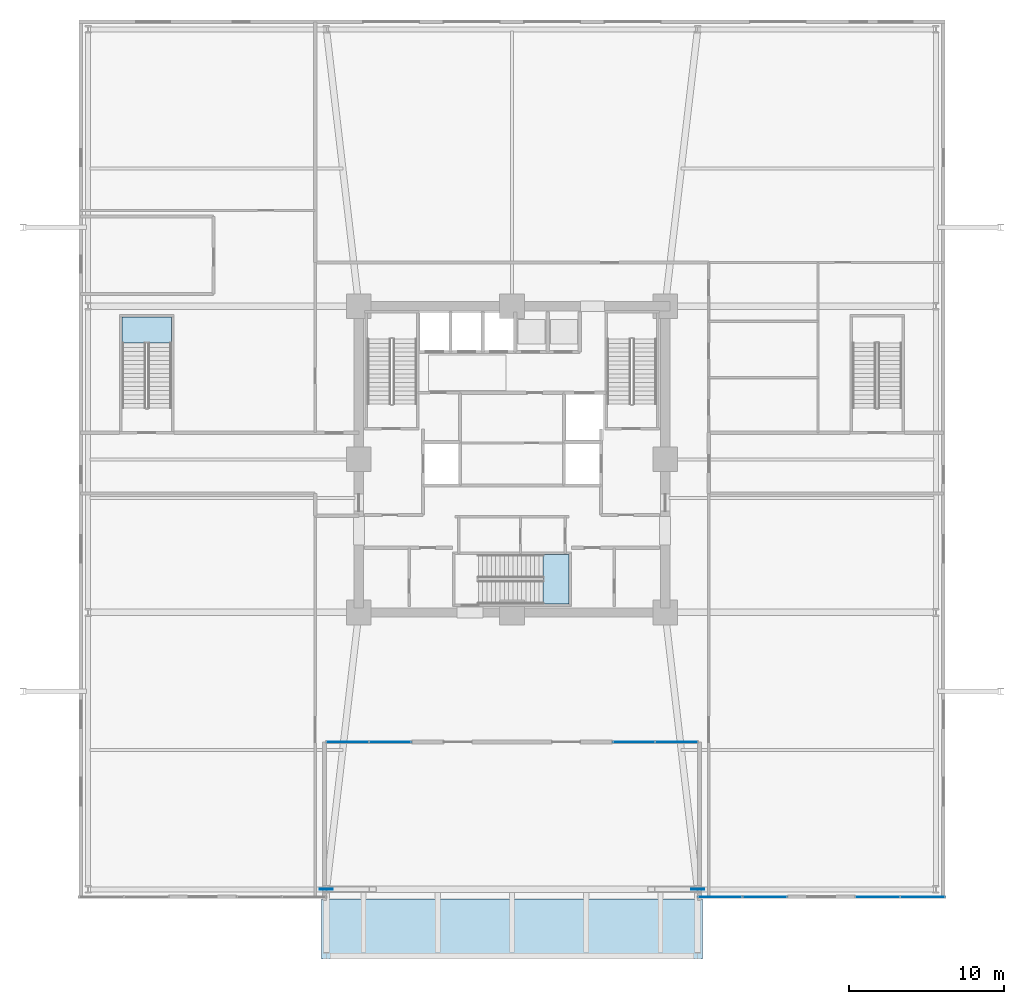
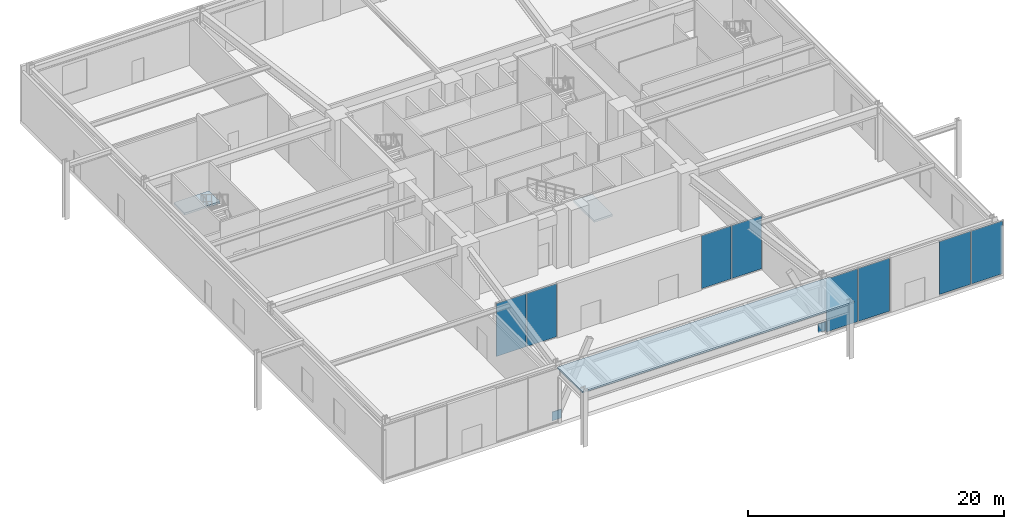
# One storey, part 16 of 24: 10 plates, 3 slabs, 6 elements without a shape of their own.
"""IFC4 building model written with IfcOpenShell, lengths in metres."""

from ifc_helpers import new_model, si_unit, direction, frame, origin, origin_2d, place, context, subcontext, project, spatial, polyline, rectangle, outline, extrude, material, layer, layer_set, type_object, element, aggregate, save


model = new_model("IFC4")

# Units and contexts
model_context = context("Model", 3, precision=1e-05, world=origin(), true_north=direction((0.0, 1.0)))
body_context = subcontext(model_context, "Body", "Model", "MODEL_VIEW")
ifc_project = project(units=[si_unit("LENGTHUNIT", "METRE"), si_unit("AREAUNIT", "SQUARE_METRE"), si_unit("VOLUMEUNIT", "CUBIC_METRE"), si_unit("PLANEANGLEUNIT", "RADIAN"), si_unit("MASSUNIT", "GRAM", prefix="KILO")], contexts=[model_context])

# Site, building, storey
site_placement = place(None, origin())
site = spatial("IfcSite", under=ifc_project, at=site_placement, CompositionType="ELEMENT")
building_placement = place(site_placement, origin())
building = spatial("IfcBuilding", under=site, at=building_placement, Name="Kolvaren Belvedere", CompositionType="ELEMENT")
storey_placement = place(building_placement, origin())
storey = spatial("IfcBuildingStorey", under=building, at=storey_placement, Name="L01", CompositionType="ELEMENT", Elevation=0.0)

# Curtain wall, plates
ifc_material_1 = material(Name="Anodised pale-metal aluminium AA 6063-T6", Category="aluminium")
curtain_wall_type = type_object("IfcCurtainWallType", Name="CW-POD-A", PredefinedType="NOTDEFINED", material=ifc_material_1)
curtain_wall_1_placement = place(storey_placement, origin())
curtain_wall_1 = element("IfcCurtainWall", 1, at=curtain_wall_1_placement, inside=storey, type_object=curtain_wall_type, Name="L01 Unitised Curtain Wall FCW-L01-PORT-E", PredefinedType="NOTDEFINED")
ifc_material_2 = material(Name="Low-iron laminated vision glass", Category="glass")
ifc_layer_1 = layer(ifc_material_2, 0.031982421875)
ifc_layer_set_1 = layer_set([ifc_layer_1], Name="Low-iron laminated vision glass")
plate_type_1 = type_object("IfcPlateType", Name="CW-PNL-VIS32", PredefinedType="CURTAIN_PANEL", material=ifc_layer_set_1)
plate_1_placement = place(storey_placement, frame((10.625, -18.280029296875, 0.080078125), z_axis=(0.0, 0.0, 1.0), x_axis=(-1.0, 0.0, 0.0)))
plate_1 = element("IfcPlate", 2, at=plate_1_placement, type_object=plate_type_1, Name="FCW-L01-PORT-E Vision Glazing Panel 1", PredefinedType="CURTAIN_PANEL", context=body_context, shape_type="SweptSolid", body=[
    extrude(rectangle(XDim=2.669921875, YDim=0.031982421875, at=origin_2d()), origin(), (0.0, 0.0, 1.0), 5.06005859375),
])
plate_2_placement = place(storey_placement, frame((7.875, -18.280029296875, 0.080078125), z_axis=(0.0, 0.0, 1.0), x_axis=(-1.0, 0.0, 0.0)))
plate_2 = element("IfcPlate", 3, at=plate_2_placement, type_object=plate_type_1, Name="FCW-L01-PORT-E Vision Glazing Panel 2", PredefinedType="CURTAIN_PANEL", context=body_context, shape_type="SweptSolid", body=[
    extrude(rectangle(XDim=2.669921875, YDim=0.031982421875, at=origin_2d()), origin(), (0.0, 0.0, 1.0), 5.06005859375),
])
aggregate(curtain_wall_1, [plate_1, plate_2])

curtain_wall_2_placement = place(storey_placement, origin())
curtain_wall_2 = element("IfcCurtainWall", 4, at=curtain_wall_2_placement, inside=storey, type_object=curtain_wall_type, Name="L01 Unitised Curtain Wall FCW-L01-PORT-W", PredefinedType="NOTDEFINED")
plate_3_placement = place(storey_placement, frame((-7.875, -18.280029296875, 0.080078125), z_axis=(0.0, 0.0, 1.0), x_axis=(-1.0, 0.0, 0.0)))
plate_3 = element("IfcPlate", 5, at=plate_3_placement, type_object=plate_type_1, Name="FCW-L01-PORT-W Vision Glazing Panel 1", PredefinedType="CURTAIN_PANEL", context=body_context, shape_type="SweptSolid", body=[
    extrude(rectangle(XDim=2.669921875, YDim=0.031982421875, at=origin_2d()), origin(), (0.0, 0.0, 1.0), 5.06005859375),
])
plate_4_placement = place(storey_placement, frame((-10.625, -18.280029296875, 0.080078125), z_axis=(0.0, 0.0, 1.0), x_axis=(-1.0, 0.0, 0.0)))
plate_4 = element("IfcPlate", 6, at=plate_4_placement, type_object=plate_type_1, Name="FCW-L01-PORT-W Vision Glazing Panel 2", PredefinedType="CURTAIN_PANEL", context=body_context, shape_type="SweptSolid", body=[
    extrude(rectangle(XDim=2.669921875, YDim=0.031982421875, at=origin_2d()), origin(), (0.0, 0.0, 1.0), 5.06005859375),
])
aggregate(curtain_wall_2, [plate_3, plate_4])

curtain_wall_3_placement = place(storey_placement, origin())
curtain_wall_3 = element("IfcCurtainWall", 7, at=curtain_wall_3_placement, inside=storey, type_object=curtain_wall_type, Name="L01 Unitised Curtain Wall FCW-L01-SE1", PredefinedType="NOTDEFINED")
plate_5_placement = place(storey_placement, frame((26.550048828125, -28.280029296875, 0.080078125), z_axis=(0.0, 0.0, 1.0), x_axis=(-1.0, 0.0, 0.0)))
plate_5 = element("IfcPlate", 8, at=plate_5_placement, type_object=plate_type_1, Name="FCW-L01-SE1 Vision Glazing Panel 1", PredefinedType="CURTAIN_PANEL", context=body_context, shape_type="SweptSolid", body=[
    extrude(rectangle(XDim=2.820068359375, YDim=0.031982421875, at=origin_2d()), origin(), (0.0, 0.0, 1.0), 5.06005859375),
])
plate_6_placement = place(storey_placement, frame((23.64990234375, -28.280029296875, 0.080078125), z_axis=(0.0, 0.0, 1.0), x_axis=(-1.0, 0.0, 0.0)))
plate_6 = element("IfcPlate", 9, at=plate_6_placement, type_object=plate_type_1, Name="FCW-L01-SE1 Vision Glazing Panel 2", PredefinedType="CURTAIN_PANEL", context=body_context, shape_type="SweptSolid", body=[
    extrude(rectangle(XDim=2.820068359375, YDim=0.031982421875, at=origin_2d()), origin(), (0.0, 0.0, 1.0), 5.06005859375),
])
aggregate(curtain_wall_3, [plate_5, plate_6])

curtain_wall_4_placement = place(storey_placement, origin())
curtain_wall_4 = element("IfcCurtainWall", 10, at=curtain_wall_4_placement, inside=storey, type_object=curtain_wall_type, Name="L01 Unitised Curtain Wall FCW-L01-SE2", PredefinedType="NOTDEFINED")
plate_7_placement = place(storey_placement, frame((16.35009765625, -28.280029296875, 0.080078125), z_axis=(0.0, 0.0, 1.0), x_axis=(-1.0, 0.0, 0.0)))
plate_7 = element("IfcPlate", 11, at=plate_7_placement, type_object=plate_type_1, Name="FCW-L01-SE2 Vision Glazing Panel 1", PredefinedType="CURTAIN_PANEL", context=body_context, shape_type="SweptSolid", body=[
    extrude(rectangle(XDim=2.820068359375, YDim=0.031982421875, at=origin_2d()), origin(), (0.0, 0.0, 1.0), 5.06005859375),
])
plate_8_placement = place(storey_placement, frame((13.449951171875, -28.280029296875, 0.080078125), z_axis=(0.0, 0.0, 1.0), x_axis=(-1.0, 0.0, 0.0)))
plate_8 = element("IfcPlate", 12, at=plate_8_placement, type_object=plate_type_1, Name="FCW-L01-SE2 Vision Glazing Panel 2", PredefinedType="CURTAIN_PANEL", context=body_context, shape_type="SweptSolid", body=[
    extrude(rectangle(XDim=2.820068359375, YDim=0.031982421875, at=origin_2d()), origin(), (0.0, 0.0, 1.0), 5.06005859375),
])
aggregate(curtain_wall_4, [plate_7, plate_8])

# Plates
ifc_material_3 = material(Name="Structural steel ASTM A572 Grade 50", Category="steel")
ifc_layer_2 = layer(ifc_material_3, 0.050048828125)
ifc_layer_set_2 = layer_set([ifc_layer_2], Name="Structural steel ASTM A572 Grade 50")
plate_type_2 = type_object("IfcPlateType", Name="PL-GUSSET-50", PredefinedType="USERDEFINED", material=ifc_layer_set_2)
for number, where, z_axis, x_axis, name in (
    (13, (-12.0, -27.800048828125, -0.125), (0.0, 0.0, 1.0), (1.0, 0.0, 0.0), "Portal Arch Gusset Plate AN-1"),
    (14, (12.0, -27.800048828125, -0.125), (0.0, 0.0, 1.0), (1.0, 0.0, 0.0), "Portal Arch Gusset Plate AN-9"),
):
    element("IfcPlate", number, at=place(storey_placement, frame(where, z_axis=z_axis, x_axis=x_axis)), inside=storey, type_object=plate_type_2, Name=name, ObjectType="GUSSET PLATE", PredefinedType="USERDEFINED", context=body_context, shape_type="SweptSolid", body=[
        extrude(rectangle(XDim=0.85009765625, YDim=0.050048828125, at=origin_2d()), origin(), (0.0, 0.0, 1.0), 0.85009765625),
    ])

# Slab
ifc_material_4 = material(Name="Precast concrete C40/50", Category="concrete")
ifc_layer_3 = layer(ifc_material_4, 0.14990234375)
ifc_layer_set_3 = layer_set([ifc_layer_3], Name="Precast concrete C40/50")
slab_type_1 = type_object("IfcSlabType", Name="SL-CAN-150", PredefinedType="ROOF", material=ifc_layer_set_3)
slab_1_placement = place(storey_placement, frame((0.0, 0.0, 5.199951171875)))
element("IfcSlab", 15, at=slab_1_placement, inside=storey, type_object=slab_type_1, Name="Street Portal Entrance Canopy Roof", PredefinedType="ROOF", context=body_context, shape_type="SweptSolid", body=[
    extrude(outline(polyline([(-12.300048828125, -32.300048828125), (12.300048828125, -32.300048828125), (12.300048828125, -28.419921875), (-12.300048828125, -28.419921875), (-12.300048828125, -32.300048828125)])), origin(), (0.0, 0.0, 1.0), 0.150146484375),
])

# Stair, slab
ifc_material_5 = material(Name="Concrete C50/60", Category="concrete")
stair_type_1 = type_object("IfcStairType", Name="ST-CORE-1520", PredefinedType="HALF_TURN_STAIR", material=ifc_material_5)
stair_1_placement = place(storey_placement, origin())
stair_1 = element("IfcStair", 16, at=stair_1_placement, inside=storey, type_object=stair_type_1, Name="L01 Protected Exit Stair ST-3", PredefinedType="HALF_TURN_STAIR")
ifc_material_6 = material(Name="Concrete C50/60", Category="concrete")
ifc_layer_4 = layer(ifc_material_6, 0.260009765625)
ifc_layer_set_4 = layer_set([ifc_layer_4], Name="Concrete C50/60")
slab_type_2 = type_object("IfcSlabType", Name="SL-LAND-260", PredefinedType="LANDING", material=ifc_layer_set_4)
slab_2_placement = place(storey_placement, frame((0.0, 0.0, 2.550048828125)))
slab_2 = element("IfcSlab", 17, at=slab_2_placement, type_object=slab_type_2, Name="ST-3 landing 1", PredefinedType="LANDING", context=body_context, shape_type="SweptSolid", body=[
    extrude(outline(polyline([(2.02001953125, -9.35009765625), (3.699951171875, -9.35009765625), (3.699951171875, -6.159912109375), (2.02001953125, -6.159912109375), (2.02001953125, -9.35009765625)])), origin(), (0.0, 0.0, 1.0), 0.199951171875),
])
aggregate(stair_1, [slab_2])

ifc_material_7 = material(Name="Concrete C50/60", Category="concrete")
stair_type_2 = type_object("IfcStairType", Name="ST-POD-1520", PredefinedType="HALF_TURN_STAIR", material=ifc_material_7)
stair_2_placement = place(storey_placement, origin())
stair_2 = element("IfcStair", 18, at=stair_2_placement, inside=storey, type_object=stair_type_2, Name="L01 Podium Exit Stair ST-P1", PredefinedType="HALF_TURN_STAIR")
slab_3_placement = place(storey_placement, frame((0.0, 0.0, 2.550048828125)))
slab_3 = element("IfcSlab", 19, at=slab_3_placement, type_object=slab_type_2, Name="ST-P1 landing 1", PredefinedType="LANDING", context=body_context, shape_type="SweptSolid", body=[
    extrude(outline(polyline([(-22.010009765625, 7.52001953125), (-22.010009765625, 9.199951171875), (-25.199951171875, 9.199951171875), (-25.199951171875, 7.52001953125), (-22.010009765625, 7.52001953125)])), origin(), (0.0, 0.0, 1.0), 0.199951171875),
])
aggregate(stair_2, [slab_3])

save(model, "model.ifc")
